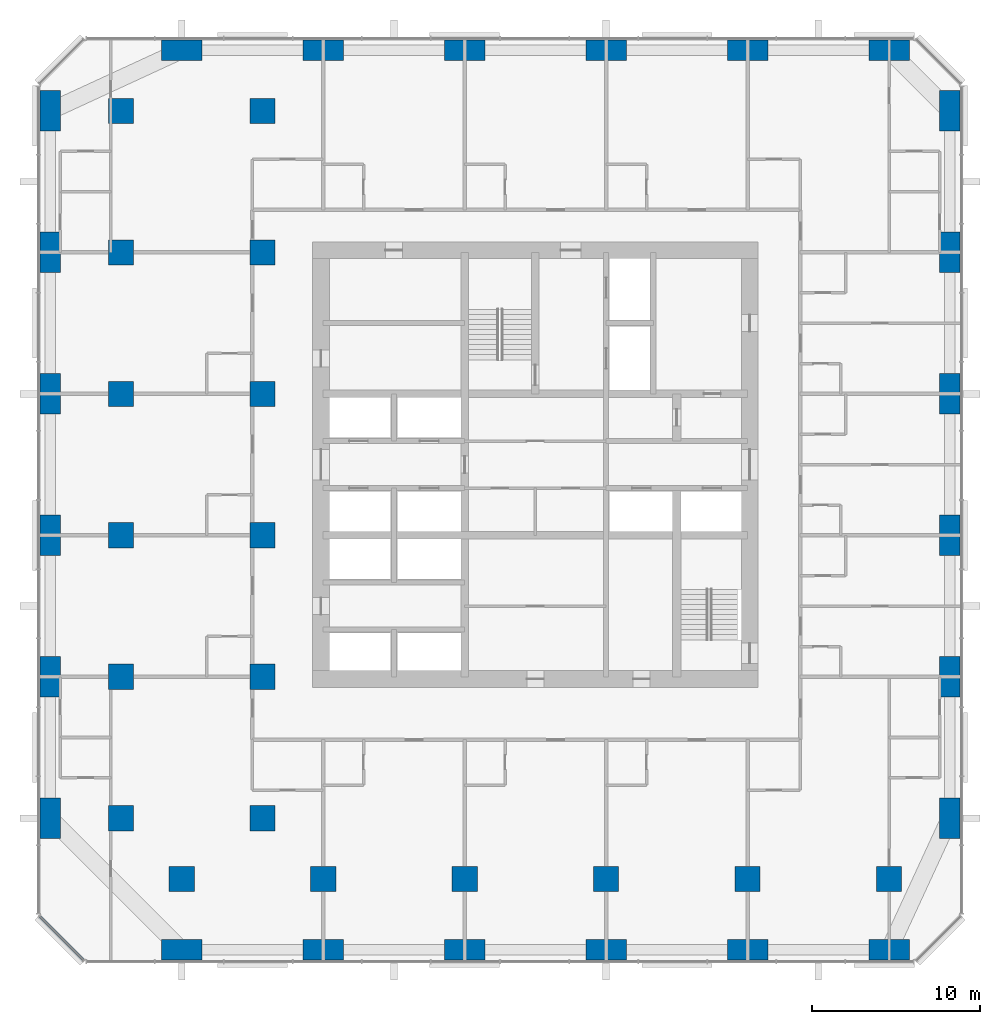
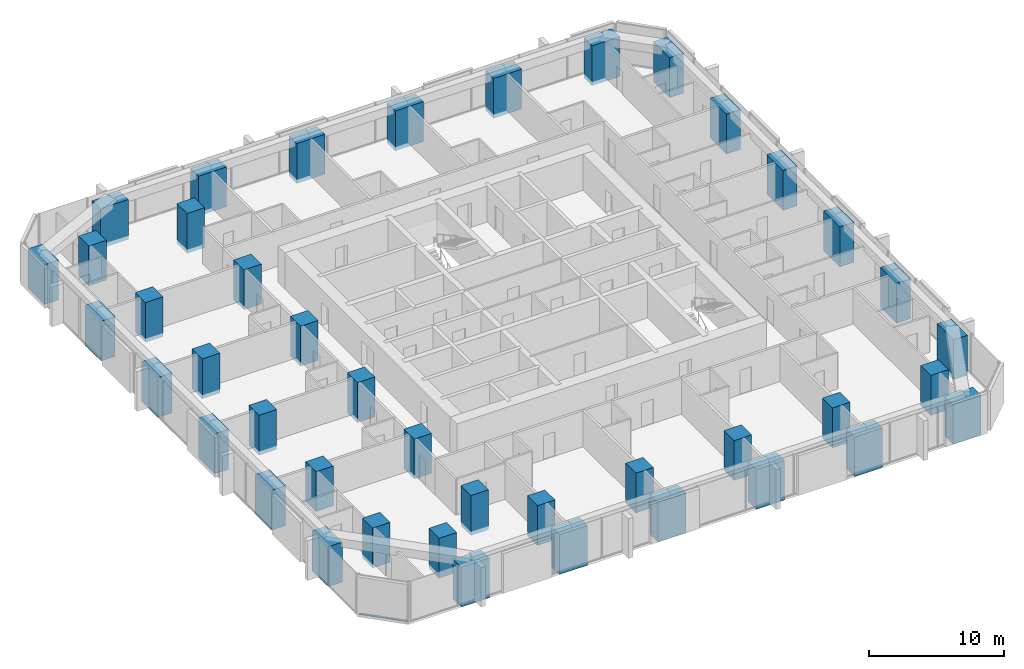
# One storey, part 1 of 13: 42 columns, 1 member, 1 element without a shape of its own.
"""IFC4 building model written with IfcOpenShell, lengths in metres."""

from ifc_helpers import new_model, si_unit, direction, frame, origin, origin_2d, place, context, subcontext, project, spatial, rectangle, extrude, material, material_profile, profile_set, type_object, element, aggregate, save


model = new_model("IFC4")

# Units and contexts
model_context = context("Model", 3, precision=1e-05, world=origin(), true_north=direction((0.0, 1.0)))
body_context = subcontext(model_context, "Body", "Model", "MODEL_VIEW")
ifc_project = project(units=[si_unit("LENGTHUNIT", "METRE"), si_unit("AREAUNIT", "SQUARE_METRE"), si_unit("VOLUMEUNIT", "CUBIC_METRE"), si_unit("PLANEANGLEUNIT", "RADIAN"), si_unit("MASSUNIT", "GRAM", prefix="KILO")], contexts=[model_context])

# Site, building, storey
site_placement = place(None, origin())
site = spatial("IfcSite", under=ifc_project, at=site_placement, CompositionType="ELEMENT")
building_placement = place(site_placement, origin())
building = spatial("IfcBuilding", under=site, at=building_placement, Name="Dunama Terrace Hotel", CompositionType="ELEMENT")
storey_placement = place(building_placement, frame((0.0, 0.0, 118.800048828125)))
storey = spatial("IfcBuildingStorey", under=building, at=storey_placement, Name="L30", CompositionType="ELEMENT", Elevation=118.800048828125)

# Columns
ifc_material_1 = material(Name="Concrete C60/75", Category="concrete")
ifc_material_profile_1 = material_profile(ifc_material_1, rectangle(XDim=1.199951171875, YDim=2.39990234375, at=origin_2d()), Name="RC 1200x2400")
ifc_profile_set_1 = profile_set([ifc_material_profile_1], Name="Concrete C60/75")
column_type_1 = type_object("IfcColumnType", Name="Column RC 1200x2400", PredefinedType="COLUMN", material=ifc_profile_set_1)
for number, where, z_axis, x_axis, name in (
    (1, (0.60009765625, 8.39990234375, -0.35009765625), (0.0, 0.0, 1.0), (1.0, 0.0, 0.0), "Column L30 +0.6/+8.4"),
    (2, (0.60009765625, 16.800048828125, -0.35009765625), (0.0, 0.0, 1.0), (1.0, 0.0, 0.0), "Column L30 +0.6/+16.8"),
    (3, (0.60009765625, 25.199951171875, -0.35009765625), (0.0, 0.0, 1.0), (1.0, 0.0, 0.0), "Column L30 +0.6/+25.2"),
    (4, (0.60009765625, 33.60009765625, -0.35009765625), (0.0, 0.0, 1.0), (1.0, 0.0, 0.0), "Column L30 +0.6/+33.6"),
    (5, (0.60009765625, 42.0, -0.35009765625), (0.0, 0.0, 1.0), (1.0, 0.0, 0.0), "Column L30 +0.6/+42.0"),
    (6, (0.60009765625, 50.39990234375, -0.35009765625), (0.0, 0.0, 1.0), (1.0, 0.0, 0.0), "Column L30 +0.6/+50.4"),
    (7, (54.0, 8.39990234375, -0.35009765625), (0.0, 0.0, 1.0), (1.0, 0.0, 0.0), "Column L30 +54.0/+8.4"),
    (8, (54.0, 16.800048828125, -0.35009765625), (0.0, 0.0, 1.0), (1.0, 0.0, 0.0), "Column L30 +54.0/+16.8"),
    (9, (54.0, 25.199951171875, -0.35009765625), (0.0, 0.0, 1.0), (1.0, 0.0, 0.0), "Column L30 +54.0/+25.2"),
    (10, (54.0, 33.60009765625, -0.35009765625), (0.0, 0.0, 1.0), (1.0, 0.0, 0.0), "Column L30 +54.0/+33.6"),
    (11, (54.0, 42.0, -0.35009765625), (0.0, 0.0, 1.0), (1.0, 0.0, 0.0), "Column L30 +54.0/+42.0"),
    (12, (54.0, 50.39990234375, -0.35009765625), (0.0, 0.0, 1.0), (1.0, 0.0, 0.0), "Column L30 +54.0/+50.4"),
):
    element("IfcColumn", number, at=place(storey_placement, frame(where, z_axis=z_axis, x_axis=x_axis)), inside=storey, type_object=column_type_1, Name=name, PredefinedType="COLUMN", context=body_context, shape_type="SweptSolid", body=[
        extrude(rectangle(XDim=1.199951171875, YDim=2.39990234375, at=origin_2d()), origin(), (0.0, 0.0, 1.0), 3.60009765625),
    ])
ifc_material_2 = material(Name="Concrete C60/75", Category="concrete")
ifc_material_profile_2 = material_profile(ifc_material_2, rectangle(XDim=1.5, YDim=1.5, at=origin_2d()), Name="RC 1500x1500")
ifc_profile_set_2 = profile_set([ifc_material_profile_2], Name="Concrete C60/75")
column_type_2 = type_object("IfcColumnType", Name="Column RC 1500x1500", PredefinedType="COLUMN", material=ifc_profile_set_2)
for number, where, z_axis, x_axis, name in (
    (13, (4.800048828125, 8.39990234375, -0.35009765625), (0.0, 0.0, 1.0), (1.0, 0.0, 0.0), "Column L30 +4.8/+8.4"),
    (14, (4.800048828125, 16.800048828125, -0.35009765625), (0.0, 0.0, 1.0), (1.0, 0.0, 0.0), "Column L30 +4.8/+16.8"),
    (15, (4.800048828125, 25.199951171875, -0.35009765625), (0.0, 0.0, 1.0), (1.0, 0.0, 0.0), "Column L30 +4.8/+25.2"),
    (16, (4.800048828125, 33.60009765625, -0.35009765625), (0.0, 0.0, 1.0), (1.0, 0.0, 0.0), "Column L30 +4.8/+33.6"),
    (17, (4.800048828125, 42.0, -0.35009765625), (0.0, 0.0, 1.0), (1.0, 0.0, 0.0), "Column L30 +4.8/+42.0"),
    (18, (4.800048828125, 50.39990234375, -0.35009765625), (0.0, 0.0, 1.0), (1.0, 0.0, 0.0), "Column L30 +4.8/+50.4"),
    (19, (8.39990234375, 4.800048828125, -0.35009765625), (0.0, 0.0, 1.0), (1.0, 0.0, 0.0), "Column L30 +8.4/+4.8"),
    (20, (13.199951171875, 8.39990234375, -0.35009765625), (0.0, 0.0, 1.0), (1.0, 0.0, 0.0), "Column L30 +13.2/+8.4"),
    (21, (13.199951171875, 16.800048828125, -0.35009765625), (0.0, 0.0, 1.0), (1.0, 0.0, 0.0), "Column L30 +13.2/+16.8"),
    (22, (13.199951171875, 25.199951171875, -0.35009765625), (0.0, 0.0, 1.0), (1.0, 0.0, 0.0), "Column L30 +13.2/+25.2"),
    (23, (13.199951171875, 33.60009765625, -0.35009765625), (0.0, 0.0, 1.0), (1.0, 0.0, 0.0), "Column L30 +13.2/+33.6"),
    (24, (13.199951171875, 42.0, -0.35009765625), (0.0, 0.0, 1.0), (1.0, 0.0, 0.0), "Column L30 +13.2/+42.0"),
    (25, (13.199951171875, 50.39990234375, -0.35009765625), (0.0, 0.0, 1.0), (1.0, 0.0, 0.0), "Column L30 +13.2/+50.4"),
    (26, (16.800048828125, 4.800048828125, -0.35009765625), (0.0, 0.0, 1.0), (1.0, 0.0, 0.0), "Column L30 +16.8/+4.8"),
    (27, (25.199951171875, 4.800048828125, -0.35009765625), (0.0, 0.0, 1.0), (1.0, 0.0, 0.0), "Column L30 +25.2/+4.8"),
    (28, (33.60009765625, 4.800048828125, -0.35009765625), (0.0, 0.0, 1.0), (1.0, 0.0, 0.0), "Column L30 +33.6/+4.8"),
    (29, (42.0, 4.800048828125, -0.35009765625), (0.0, 0.0, 1.0), (1.0, 0.0, 0.0), "Column L30 +42.0/+4.8"),
    (30, (50.39990234375, 4.800048828125, -0.35009765625), (0.0, 0.0, 1.0), (1.0, 0.0, 0.0), "Column L30 +50.4/+4.8"),
):
    element("IfcColumn", number, at=place(storey_placement, frame(where, z_axis=z_axis, x_axis=x_axis)), inside=storey, type_object=column_type_2, Name=name, PredefinedType="COLUMN", context=body_context, shape_type="SweptSolid", body=[
        extrude(rectangle(XDim=1.5, YDim=1.5, at=origin_2d()), origin(), (0.0, 0.0, 1.0), 3.60009765625),
    ])
ifc_material_3 = material(Name="Concrete C60/75", Category="concrete")
ifc_material_profile_3 = material_profile(ifc_material_3, rectangle(XDim=2.39990234375, YDim=1.199951171875, at=origin_2d()), Name="RC 2400x1200")
ifc_profile_set_3 = profile_set([ifc_material_profile_3], Name="Concrete C60/75")
column_type_3 = type_object("IfcColumnType", Name="Column RC 2400x1200", PredefinedType="COLUMN", material=ifc_profile_set_3)
for number, where, z_axis, x_axis, name in (
    (31, (8.39990234375, 0.60009765625, -0.35009765625), (0.0, 0.0, 1.0), (1.0, 0.0, 0.0), "Column L30 +8.4/+0.6"),
    (32, (8.39990234375, 54.0, -0.35009765625), (0.0, 0.0, 1.0), (1.0, 0.0, 0.0), "Column L30 +8.4/+54.0"),
    (33, (16.800048828125, 0.60009765625, -0.35009765625), (0.0, 0.0, 1.0), (1.0, 0.0, 0.0), "Column L30 +16.8/+0.6"),
    (34, (16.800048828125, 54.0, -0.35009765625), (0.0, 0.0, 1.0), (1.0, 0.0, 0.0), "Column L30 +16.8/+54.0"),
    (35, (25.199951171875, 0.60009765625, -0.35009765625), (0.0, 0.0, 1.0), (1.0, 0.0, 0.0), "Column L30 +25.2/+0.6"),
    (36, (25.199951171875, 54.0, -0.35009765625), (0.0, 0.0, 1.0), (1.0, 0.0, 0.0), "Column L30 +25.2/+54.0"),
    (37, (33.60009765625, 0.60009765625, -0.35009765625), (0.0, 0.0, 1.0), (1.0, 0.0, 0.0), "Column L30 +33.6/+0.6"),
    (38, (33.60009765625, 54.0, -0.35009765625), (0.0, 0.0, 1.0), (1.0, 0.0, 0.0), "Column L30 +33.6/+54.0"),
    (39, (42.0, 0.60009765625, -0.35009765625), (0.0, 0.0, 1.0), (1.0, 0.0, 0.0), "Column L30 +42.0/+0.6"),
    (40, (42.0, 54.0, -0.35009765625), (0.0, 0.0, 1.0), (1.0, 0.0, 0.0), "Column L30 +42.0/+54.0"),
    (41, (50.39990234375, 0.60009765625, -0.35009765625), (0.0, 0.0, 1.0), (1.0, 0.0, 0.0), "Column L30 +50.4/+0.6"),
    (42, (50.39990234375, 54.0, -0.35009765625), (0.0, 0.0, 1.0), (1.0, 0.0, 0.0), "Column L30 +50.4/+54.0"),
):
    element("IfcColumn", number, at=place(storey_placement, frame(where, z_axis=z_axis, x_axis=x_axis)), inside=storey, type_object=column_type_3, Name=name, PredefinedType="COLUMN", context=body_context, shape_type="SweptSolid", body=[
        extrude(rectangle(XDim=2.39990234375, YDim=1.199951171875, at=origin_2d()), origin(), (0.0, 0.0, 1.0), 3.60009765625),
    ])

# Curtain wall, member
ifc_material_4 = material(Name="Aluminium curtain wall system", Category="aluminium")
curtain_wall_type = type_object("IfcCurtainWallType", Name="Unitised fritted glass wall CW-B", PredefinedType="NOTDEFINED", material=ifc_material_4)
curtain_wall_placement = place(storey_placement, origin())
curtain_wall = element("IfcCurtainWall", 43, at=curtain_wall_placement, inside=storey, type_object=curtain_wall_type, Name="Unitised fritted glass wall CW-B L30", PredefinedType="NOTDEFINED")
ifc_material_5 = material(Name="Aluminium transom", Category="aluminium")
ifc_material_profile_4 = material_profile(ifc_material_5, rectangle(XDim=0.179931640625, YDim=0.080078125, at=origin_2d()), Name="CWB TRANSOM 180X80")
ifc_profile_set_4 = profile_set([ifc_material_profile_4], Name="Aluminium transom")
member_type = type_object("IfcMemberType", Name="CWB transom 180x80", PredefinedType="USERDEFINED", material=ifc_profile_set_4)
member_placement = place(storey_placement, frame((-0.031982421875, 2.575927734375, 0.0400390625), z_axis=(0.707106781187, -0.707106781187, 0.0), x_axis=(0.707106781187, 0.707106781187, 0.0)))
member = element("IfcMember", 44, at=member_placement, type_object=member_type, Name="CWB transom", ObjectType="TRANSOM", PredefinedType="USERDEFINED", context=body_context, shape_type="SweptSolid", body=[
    extrude(rectangle(XDim=0.179931640625, YDim=0.080078125, at=origin_2d()), origin(), (0.0, 0.0, 1.0), 3.688232421875),
])
aggregate(curtain_wall, [member])

save(model, "model.ifc")
